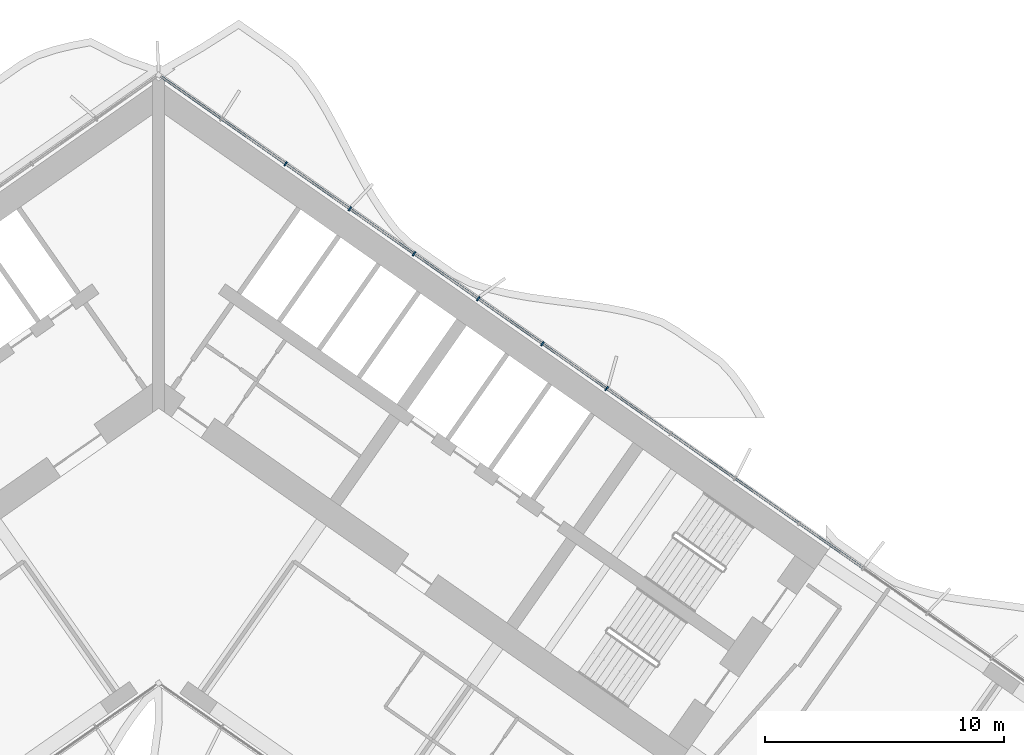
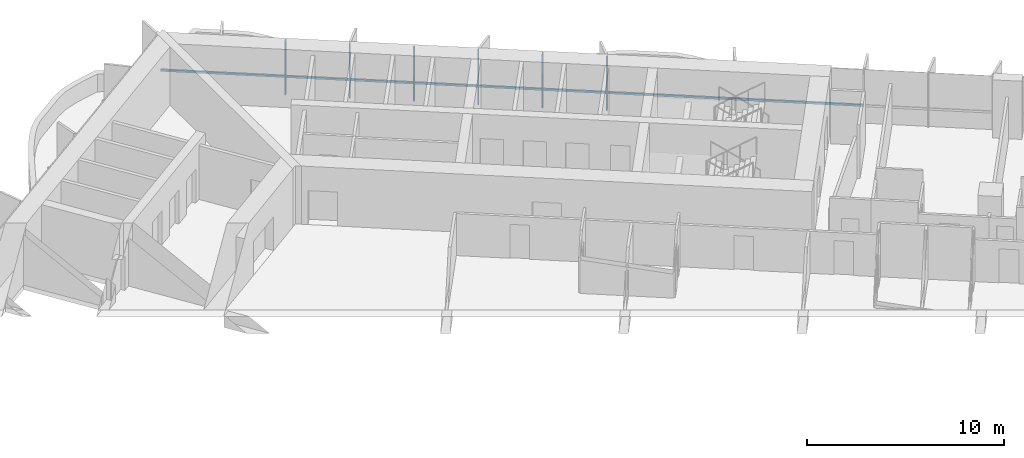
# One storey, part 8 of 24: 7 members, 1 element without a shape of its own.
"""IFC4 building model written with IfcOpenShell, lengths in metres."""

from ifc_helpers import new_model, si_unit, direction, frame, origin, origin_2d, place, context, subcontext, project, spatial, rectangle, extrude, material, material_profile, profile_set, type_object, element, aggregate, save


model = new_model("IFC4")

# Units and contexts
model_context = context("Model", 3, precision=1e-05, world=origin(), true_north=direction((0.0, 1.0)))
body_context = subcontext(model_context, "Body", "Model", "MODEL_VIEW")
ifc_project = project(units=[si_unit("LENGTHUNIT", "METRE"), si_unit("AREAUNIT", "SQUARE_METRE"), si_unit("VOLUMEUNIT", "CUBIC_METRE"), si_unit("PLANEANGLEUNIT", "RADIAN"), si_unit("MASSUNIT", "GRAM", prefix="KILO")], contexts=[model_context])

# Site, building, storey
site_placement = place(None, origin())
site = spatial("IfcSite", under=ifc_project, at=site_placement, CompositionType="ELEMENT")
building_placement = place(site_placement, origin())
building = spatial("IfcBuilding", under=site, at=building_placement, Name="Tel Ilan Convention Tower", CompositionType="ELEMENT")
storey_placement = place(building_placement, frame((0.0, 0.0, 72.5)))
storey = spatial("IfcBuildingStorey", under=building, at=storey_placement, Name="L13", CompositionType="ELEMENT", Elevation=72.5)

# Curtain wall, members
ifc_material_1 = material(Name="Aluminium, bronze anodised", Category="aluminium")
curtain_wall_type = type_object("IfcCurtainWallType", Name="CW2 STICK CURTAIN WALL, SPANDREL PANELS", PredefinedType="NOTDEFINED", material=ifc_material_1)
curtain_wall_placement = place(storey_placement, origin())
curtain_wall = element("IfcCurtainWall", 1, at=curtain_wall_placement, inside=storey, type_object=curtain_wall_type, Name="Curtain wall CW2-13.01", PredefinedType="NOTDEFINED")
ifc_material_2 = material(Name="Aluminium, bronze anodised", Category="aluminium")
ifc_material_profile_1 = material_profile(ifc_material_2, rectangle(XDim=0.06005859375, YDim=0.199951171875, at=origin_2d()), Name="CW MULLION 60x200")
ifc_profile_set_1 = profile_set([ifc_material_profile_1], Name="Aluminium, bronze anodised")
member_type_1 = type_object("IfcMemberType", Name="CW MULLION 60x200", PredefinedType="MULLION", material=ifc_profile_set_1)
member_1_placement = place(storey_placement, frame((18.70458984375, -0.401123046875, 0.0), z_axis=(0.0, 0.0, 1.0), x_axis=(-0.819152044289, 0.573576436351, 0.0)))
member_1 = element("IfcMember", 2, at=member_1_placement, type_object=member_type_1, Name="Mullion", PredefinedType="MULLION", context=body_context, shape_type="SweptSolid", body=[
    extrude(rectangle(XDim=0.06005859375, YDim=0.199951171875, at=origin_2d()), origin(), (0.0, 0.0, 1.0), 3.320068359375),
])
member_2_placement = place(storey_placement, frame((16.024169921875, 1.475830078125, 0.0), z_axis=(0.0, 0.0, 1.0), x_axis=(-0.819152044289, 0.573576436351, 0.0)))
member_2 = element("IfcMember", 3, at=member_2_placement, type_object=member_type_1, Name="Mullion", PredefinedType="MULLION", context=body_context, shape_type="SweptSolid", body=[
    extrude(rectangle(XDim=0.06005859375, YDim=0.199951171875, at=origin_2d()), origin(), (0.0, 0.0, 1.0), 3.320068359375),
])
member_3_placement = place(storey_placement, frame((13.343994140625, 3.3525390625, 0.0), z_axis=(0.0, 0.0, 1.0), x_axis=(-0.819152044289, 0.573576436351, 0.0)))
member_3 = element("IfcMember", 4, at=member_3_placement, type_object=member_type_1, Name="Mullion", PredefinedType="MULLION", context=body_context, shape_type="SweptSolid", body=[
    extrude(rectangle(XDim=0.06005859375, YDim=0.199951171875, at=origin_2d()), origin(), (0.0, 0.0, 1.0), 3.320068359375),
])
member_4_placement = place(storey_placement, frame((10.663818359375, 5.229248046875, 0.0), z_axis=(0.0, 0.0, 1.0), x_axis=(-0.819152044289, 0.573576436351, 0.0)))
member_4 = element("IfcMember", 5, at=member_4_placement, type_object=member_type_1, Name="Mullion", PredefinedType="MULLION", context=body_context, shape_type="SweptSolid", body=[
    extrude(rectangle(XDim=0.06005859375, YDim=0.199951171875, at=origin_2d()), origin(), (0.0, 0.0, 1.0), 3.320068359375),
])
member_5_placement = place(storey_placement, frame((7.9833984375, 7.10595703125, 0.0), z_axis=(0.0, 0.0, 1.0), x_axis=(-0.819152044289, 0.573576436351, 0.0)))
member_5 = element("IfcMember", 6, at=member_5_placement, type_object=member_type_1, Name="Mullion", PredefinedType="MULLION", context=body_context, shape_type="SweptSolid", body=[
    extrude(rectangle(XDim=0.06005859375, YDim=0.199951171875, at=origin_2d()), origin(), (0.0, 0.0, 1.0), 3.320068359375),
])
member_6_placement = place(storey_placement, frame((5.30322265625, 8.982666015625, 0.0), z_axis=(0.0, 0.0, 1.0), x_axis=(-0.819152044289, 0.573576436351, 0.0)))
member_6 = element("IfcMember", 7, at=member_6_placement, type_object=member_type_1, Name="Mullion", PredefinedType="MULLION", context=body_context, shape_type="SweptSolid", body=[
    extrude(rectangle(XDim=0.06005859375, YDim=0.199951171875, at=origin_2d()), origin(), (0.0, 0.0, 1.0), 3.320068359375),
])
ifc_material_3 = material(Name="Aluminium, bronze anodised", Category="aluminium")
ifc_material_profile_2 = material_profile(ifc_material_3, rectangle(XDim=0.10009765625, YDim=0.1201171875, at=origin_2d()), Name="CW TRANSOM 100x120")
ifc_profile_set_2 = profile_set([ifc_material_profile_2], Name="Aluminium, bronze anodised")
member_type_2 = type_object("IfcMemberType", Name="CW TRANSOM 100x120", PredefinedType="USERDEFINED", material=ifc_profile_set_2)
member_7_placement = place(storey_placement, frame((29.401123046875, -7.890869140625, 1.10009765625), z_axis=(-0.81915076999, 0.573578256234, 0.0), x_axis=(-0.573578256234, -0.81915076999, 0.0)))
member_7 = element("IfcMember", 8, at=member_7_placement, type_object=member_type_2, Name="Transom", ObjectType="TRANSOM", PredefinedType="USERDEFINED", context=body_context, shape_type="SweptSolid", body=[
    extrude(rectangle(XDim=0.10009765625, YDim=0.1201171875, at=origin_2d()), origin(), (0.0, 0.0, 1.0), 35.76220703125),
])
aggregate(curtain_wall, [member_1, member_2, member_3, member_4, member_5, member_6, member_7])

save(model, "model.ifc")
